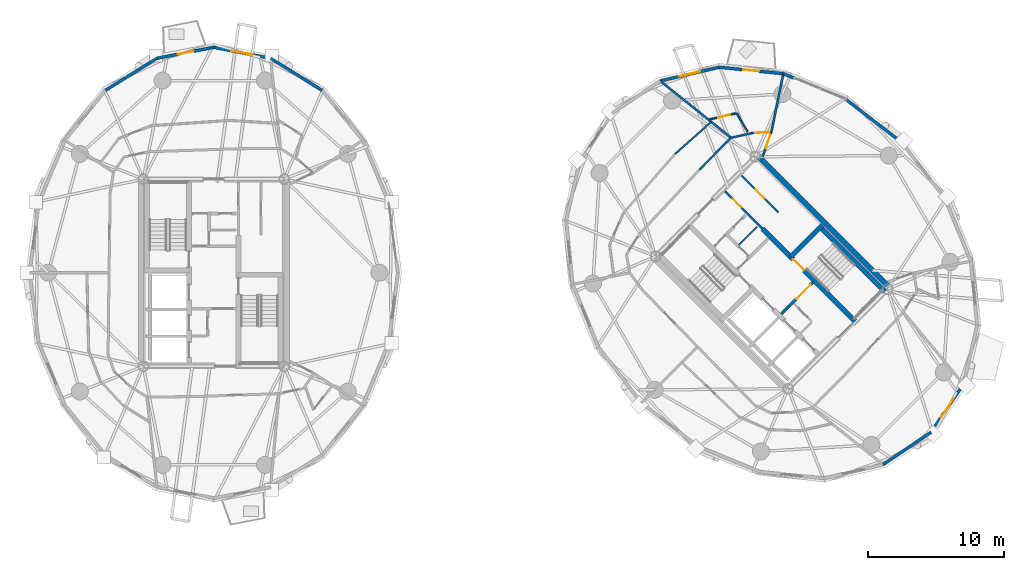
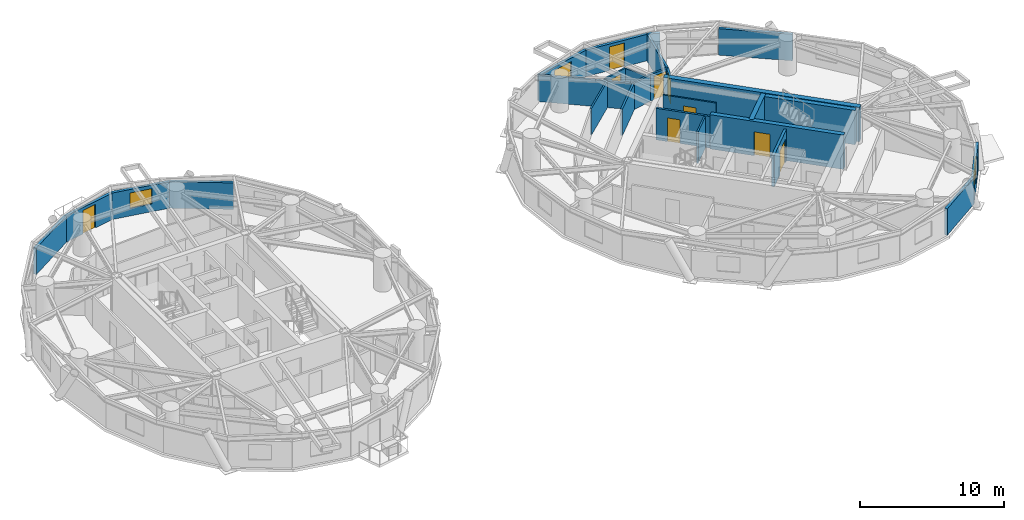
# One storey, part 14 of 18: 27 walls, 9 doors, 3 windows, 12 openings.
"""IFC4 building model written with IfcOpenShell, lengths in metres."""

from ifc_helpers import new_model, si_unit, direction, frame, frame_2d, origin, place, context, subcontext, project, spatial, rectangle, extrude, source, transform, mapped, material, layer, layer_set, type_object, element, fill, save


model = new_model("IFC4")

# Units and contexts
model_context = context("Model", 3, precision=1e-05, world=origin(), true_north=direction((0.0, 1.0)))
body_context = subcontext(model_context, "Body", "Model", "MODEL_VIEW")
ifc_project = project(units=[si_unit("LENGTHUNIT", "METRE"), si_unit("AREAUNIT", "SQUARE_METRE"), si_unit("VOLUMEUNIT", "CUBIC_METRE"), si_unit("PLANEANGLEUNIT", "RADIAN"), si_unit("MASSUNIT", "GRAM", prefix="KILO")], contexts=[model_context])

# Site, building, storey
site_placement = place(None, origin())
site = spatial("IfcSite", under=ifc_project, at=site_placement, CompositionType="ELEMENT")
building_placement = place(site_placement, origin())
building = spatial("IfcBuilding", under=site, at=building_placement, Name="Cununo Teusaquillo Station Towers", CompositionType="ELEMENT")
storey_placement = place(building_placement, frame((0.0, 0.0, 169.06005859375)))
storey = spatial("IfcBuildingStorey", under=building, at=storey_placement, Name="L53", CompositionType="ELEMENT", Elevation=169.06005859375)

# Wall, opening, door
ifc_material_1 = material(Name="Concrete C50/60", Category="concrete")
ifc_layer_1 = layer(ifc_material_1, 0.35009765625)
ifc_layer_set_1 = layer_set([ifc_layer_1], Name="Concrete C50/60")
wall_type_1 = type_object("IfcWallType", Name="WL-CORE-350", PredefinedType="SHEAR", material=ifc_layer_set_1)
wall_1_placement = place(storey_placement, frame((63.627197265625, 20.939697265625, 0.0), z_axis=(0.0, 0.0, 1.0), x_axis=(-0.707119496762, 0.707094065383, 0.0)))
wall_1 = element("IfcWall", 1, at=wall_1_placement, inside=storey, type_object=wall_type_1, Name="L53 Tower B Core Shear Wall IE", PredefinedType="SHEAR", context=body_context, shape_type="SweptSolid", body=[
    extrude(rectangle(XDim=9.60009765625, YDim=0.35009765625, at=frame_2d((4.800048828125, 0.0))), origin(), (0.0, 0.0, 1.0), 2.909912109375),
])
shared_shape_1 = source(origin(), body_context, "Body", "SweptSolid", [
    extrude(rectangle(XDim=1.14990234375, YDim=2.02001953125, at=frame_2d((0.574951171875, 1.010009765625))), frame((0.0, 0.18505859375, 0.0), z_axis=(0.0, -1.0, 0.0), x_axis=(1.0, 0.0, 0.0)), (0.0, 0.0, 1.0), 0.3701171875),
])
opening_1_placement = place(wall_1_placement, frame((5.280029296875, 0.0, 0.0)))
opening_1 = element("IfcOpeningElement", 2, at=opening_1_placement, cuts=wall_1, Name="Opening D-ST1", PredefinedType="OPENING", context=body_context, shape_type="MappedRepresentation", body=[
    mapped(shared_shape_1, transform((0.0, 0.0, 0.0), x_axis=(1.0, 0.0, 0.0), y_axis=(0.0, 1.0, 0.0), z_axis=(0.0, 0.0, 1.0), scale=1.0)),
])
ifc_material_2 = material(Name="Galvanised fire-rated hollow steel door assembly", Category="steel")
door_type_1 = type_object("IfcDoorType", Name="DR-STAIR-1150", OperationType="NOTDEFINED", PredefinedType="DOOR", material=ifc_material_2)
shared_shape_2 = source(origin(), body_context, "Body", "SweptSolid", [
    extrude(rectangle(XDim=1.14990234375, YDim=2.02001953125, at=frame_2d((0.574951171875, 1.010009765625))), frame((0.0, 0.02490234375, 0.0), z_axis=(0.0, -1.0, 0.0), x_axis=(1.0, 0.0, 0.0)), (0.0, 0.0, 1.0), 0.050048828125),
])
door_1_placement = place(opening_1_placement, origin())
door_1 = element("IfcDoor", 3, at=door_1_placement, inside=storey, type_object=door_type_1, Name="L53 Tower B Exit Stair 2 Fire Door", OperationType="SINGLE_SWING_RIGHT", OverallHeight=2.02001953125, OverallWidth=1.14990234375, PredefinedType="DOOR", context=body_context, shape_type="MappedRepresentation", body=[
    mapped(shared_shape_2, transform((0.0, 0.0, 0.0), x_axis=(1.0, 0.0, 0.0), y_axis=(0.0, 1.0, 0.0), z_axis=(0.0, 0.0, 1.0), scale=1.0)),
])
fill(opening_1, door_1)

# Walls
wall_2_placement = place(storey_placement, frame((65.81201171875, 23.124755859375, 0.0), z_axis=(0.0, 0.0, 1.0), x_axis=(-0.707106781187, 0.707106781187, 0.0)))
element("IfcWall", 4, at=wall_2_placement, inside=storey, type_object=wall_type_1, Name="L53 Tower B Core Shear Wall ST2E", PredefinedType="SHEAR", context=body_context, shape_type="SweptSolid", body=[
    extrude(rectangle(XDim=6.695068359375, YDim=0.35009765625, at=frame_2d((3.34765625, 0.0))), origin(), (0.0, 0.0, 1.0), 2.909912109375),
])
wall_3_placement = place(storey_placement, frame((58.89306640625, 25.673828125, 0.0), z_axis=(0.0, 0.0, 1.0), x_axis=(0.707106781187, 0.707106781187, 0.0)))
element("IfcWall", 5, at=wall_3_placement, inside=storey, type_object=wall_type_1, Name="L53 Tower B Core Shear Wall ST2N", PredefinedType="SHEAR", context=body_context, shape_type="SweptSolid", body=[
    extrude(rectangle(XDim=3.284912109375, YDim=0.35009765625, at=frame_2d((1.642578125, 0.0))), origin(), (0.0, 0.0, 1.0), 2.909912109375),
])
ifc_material_3 = material(Name="Concrete C50/60", Category="concrete")
ifc_layer_2 = layer(ifc_material_3, 0.39990234375)
ifc_layer_set_2 = layer_set([ifc_layer_2], Name="Concrete C50/60")
wall_type_2 = type_object("IfcWallType", Name="WL-CORE-400", PredefinedType="SHEAR", material=ifc_layer_set_2)
wall_4_placement = place(storey_placement, frame((66.26806640625, 23.2978515625, 0.0), z_axis=(0.0, 0.0, 1.0), x_axis=(-0.707106781187, 0.707106781187, 0.0)))
element("IfcWall", 6, at=wall_4_placement, inside=storey, type_object=wall_type_2, Name="L53 Tower B Core Shear Wall E", PredefinedType="SHEAR", context=body_context, shape_type="SweptSolid", body=[
    extrude(rectangle(XDim=14.10009765625, YDim=0.39990234375, at=frame_2d((7.050048828125, 0.0))), origin(), (0.0, 0.0, 1.0), 2.909912109375),
])
ifc_material_4 = material(Name="Precast concrete C40/50", Category="concrete")
ifc_layer_3 = layer(ifc_material_4, 0.219970703125)
ifc_layer_set_3 = layer_set([ifc_layer_3], Name="Precast concrete C40/50")
wall_type_3 = type_object("IfcWallType", Name="WL-EXT-220", PredefinedType="SOLIDWALL", material=ifc_layer_set_3)
wall_5_placement = place(storey_placement, frame((20.681396484375, 40.259033203125, 0.0), z_axis=(0.0, 0.0, 1.0), x_axis=(0.848399108042, -0.529357113368, 0.0)))
element("IfcWall", 7, at=wall_5_placement, inside=storey, type_object=wall_type_3, Name="L53 Tower A Exterior Facade Wall C03", PredefinedType="SOLIDWALL", context=body_context, shape_type="SweptSolid", body=[
    extrude(rectangle(XDim=4.446044921875, YDim=0.219970703125, at=frame_2d((2.22314453125, 0.0))), origin(), (0.0, 0.0, 1.0), 2.244873046875),
])

# Wall, opening, window
wall_6_placement = place(storey_placement, frame((16.5, 41.070068359375, 0.0), z_axis=(0.0, 0.0, 1.0), x_axis=(0.981703883443, -0.190413983815, 0.0)))
wall_6 = element("IfcWall", 8, at=wall_6_placement, inside=storey, type_object=wall_type_3, Name="L53 Tower A Exterior Facade Wall C04", PredefinedType="SOLIDWALL", context=body_context, shape_type="SweptSolid", body=[
    extrude(rectangle(XDim=4.25927734375, YDim=0.219970703125, at=frame_2d((2.129638671875, 0.0))), origin(), (0.0, 0.0, 1.0), 2.244873046875),
])
shared_shape_3 = source(origin(), body_context, "Body", "SweptSolid", [
    extrude(rectangle(XDim=1.60009765625, YDim=1.300048828125, at=frame_2d((0.800048828125, 0.64990234375))), frame((0.0, 0.119873046875, 0.0), z_axis=(0.0, -1.0, 0.0), x_axis=(1.0, 0.0, 0.0)), (0.0, 0.0, 1.0), 0.239990234375),
])
opening_2_placement = place(wall_6_placement, frame((1.330078125, 0.0, 0.64990234375)))
opening_2 = element("IfcOpeningElement", 9, at=opening_2_placement, cuts=wall_6, Name="Opening WN-03", PredefinedType="OPENING", context=body_context, shape_type="MappedRepresentation", body=[
    mapped(shared_shape_3, transform((0.0, 0.0, 0.0), x_axis=(1.0, 0.0, 0.0), y_axis=(0.0, 1.0, 0.0), z_axis=(0.0, 0.0, 1.0), scale=1.0)),
])
ifc_material_5 = material(Name="Ceramic-fritted dark low-E double glazing", Category="glass")
window_type = type_object("IfcWindowType", Name="WIN-CORN-1600", PartitioningType="SINGLE_PANEL", PredefinedType="WINDOW", material=ifc_material_5)
shared_shape_4 = source(origin(), body_context, "Body", "SweptSolid", [
    extrude(rectangle(XDim=1.60009765625, YDim=1.300048828125, at=frame_2d((0.800048828125, 0.64990234375))), frame((0.0, 0.030029296875, 0.0), z_axis=(0.0, -1.0, 0.0), x_axis=(1.0, 0.0, 0.0)), (0.0, 0.0, 1.0), 0.06005859375),
])
window_1_placement = place(opening_2_placement, origin())
window_1 = element("IfcWindow", 10, at=window_1_placement, inside=storey, type_object=window_type, Name="L53 Tower A Facade Window C04", OverallHeight=1.300048828125, OverallWidth=1.60009765625, PartitioningType="SINGLE_PANEL", PredefinedType="WINDOW", context=body_context, shape_type="MappedRepresentation", body=[
    mapped(shared_shape_4, transform((0.0, 0.0, 0.0), x_axis=(1.0, 0.0, 0.0), y_axis=(0.0, 1.0, 0.0), z_axis=(0.0, 0.0, 1.0), scale=1.0)),
])
fill(opening_2, window_1)

# Wall, opening, door
wall_7_placement = place(storey_placement, frame((12.318603515625, 40.259033203125, 0.0), z_axis=(0.0, 0.0, 1.0), x_axis=(0.981703883443, 0.190413983815, 0.0)))
wall_7 = element("IfcWall", 11, at=wall_7_placement, inside=storey, type_object=wall_type_3, Name="L53 Tower A Exterior Facade Wall C05", PredefinedType="SOLIDWALL", context=body_context, shape_type="SweptSolid", body=[
    extrude(rectangle(XDim=4.25927734375, YDim=0.219970703125, at=frame_2d((2.129638671875, 0.0))), origin(), (0.0, 0.0, 1.0), 2.244873046875),
])
shared_shape_5 = source(origin(), body_context, "Body", "SweptSolid", [
    extrude(rectangle(XDim=1.14990234375, YDim=2.0048828125, at=frame_2d((0.574951171875, 1.00244140625))), frame((0.0, 0.119873046875, 0.0), z_axis=(0.0, -1.0, 0.0), x_axis=(1.0, 0.0, 0.0)), (0.0, 0.0, 1.0), 0.239990234375),
])
opening_3_placement = place(wall_7_placement, frame((1.554931640625, 0.0, 0.0)))
opening_3 = element("IfcOpeningElement", 12, at=opening_3_placement, cuts=wall_7, Name="Opening ED-03", PredefinedType="OPENING", context=body_context, shape_type="MappedRepresentation", body=[
    mapped(shared_shape_5, transform((0.0, 0.0, 0.0), x_axis=(1.0, 0.0, 0.0), y_axis=(0.0, 1.0, 0.0), z_axis=(0.0, 0.0, 1.0), scale=1.0)),
])
ifc_material_6 = material(Name="Anodised dark bronze aluminium EN AW-6063-T6", Category="aluminium")
door_type_2 = type_object("IfcDoorType", Name="DR-EXT-BAL", OperationType="NOTDEFINED", PredefinedType="DOOR", material=ifc_material_6)
shared_shape_6 = source(origin(), body_context, "Body", "SweptSolid", [
    extrude(rectangle(XDim=1.14990234375, YDim=2.0048828125, at=frame_2d((0.574951171875, 1.00244140625))), frame((0.0, 0.02490234375, 0.0), z_axis=(0.0, -1.0, 0.0), x_axis=(1.0, 0.0, 0.0)), (0.0, 0.0, 1.0), 0.050048828125),
])
door_2_placement = place(opening_3_placement, origin())
door_2 = element("IfcDoor", 13, at=door_2_placement, inside=storey, type_object=door_type_2, Name="L53 Tower A Tree Balcony Door C05", OperationType="SINGLE_SWING_LEFT", OverallHeight=2.0048828125, OverallWidth=1.14990234375, PredefinedType="DOOR", context=body_context, shape_type="MappedRepresentation", body=[
    mapped(shared_shape_6, transform((0.0, 0.0, 0.0), x_axis=(1.0, 0.0, 0.0), y_axis=(0.0, 1.0, 0.0), z_axis=(0.0, 0.0, 1.0), scale=1.0)),
])
fill(opening_3, door_2)

# Walls
wall_8_placement = place(storey_placement, frame((8.546630859375, 37.905517578125, 0.0), z_axis=(0.0, 0.0, 1.0), x_axis=(0.848399108042, 0.529357113368, 0.0)))
element("IfcWall", 14, at=wall_8_placement, inside=storey, type_object=wall_type_3, Name="L53 Tower A Exterior Facade Wall C06", PredefinedType="SOLIDWALL", context=body_context, shape_type="SweptSolid", body=[
    extrude(rectangle(XDim=4.446044921875, YDim=0.219970703125, at=frame_2d((2.22314453125, 0.0))), origin(), (0.0, 0.0, 1.0), 2.244873046875),
])
wall_9_placement = place(storey_placement, frame((62.97900390625, 37.22021484375, 0.0), z_axis=(0.0, 0.0, 1.0), x_axis=(0.791962560189, -0.610569654715, 0.0)))
element("IfcWall", 15, at=wall_9_placement, inside=storey, type_object=wall_type_3, Name="L53 Tower B Exterior Facade Wall C00", PredefinedType="SOLIDWALL", context=body_context, shape_type="SweptSolid", body=[
    extrude(rectangle(XDim=5.162841796875, YDim=0.219970703125, at=frame_2d((2.58154296875, 0.0))), origin(), (0.0, 0.0, 1.0), 2.244873046875),
])
wall_10_placement = place(storey_placement, frame((58.353515625, 39.12744140625, 0.0), z_axis=(0.0, 0.0, 1.0), x_axis=(0.924556017656, -0.381046152345, 0.0)))
element("IfcWall", 16, at=wall_10_placement, inside=storey, type_object=wall_type_3, Name="L53 Tower B Column Pier Cladding Wall C01-PA", PredefinedType="SOLIDWALL", context=body_context, shape_type="SweptSolid", body=[
    extrude(rectangle(XDim=0.8701171875, YDim=0.219970703125, at=frame_2d((0.43505859375, 0.0))), origin(), (0.0, 0.0, 1.0), 2.244873046875),
])

# Wall, opening, door
wall_11_placement = place(storey_placement, frame((53.644775390625, 39.602783203125, 0.0), z_axis=(0.0, 0.0, 1.0), x_axis=(0.994943283129, -0.100438356004, 0.0)))
wall_11 = element("IfcWall", 17, at=wall_11_placement, inside=storey, type_object=wall_type_3, Name="L53 Tower B Exterior Facade Wall C02", PredefinedType="SOLIDWALL", context=body_context, shape_type="SweptSolid", body=[
    extrude(rectangle(XDim=4.732666015625, YDim=0.219970703125, at=frame_2d((2.3662109375, 0.0))), origin(), (0.0, 0.0, 1.0), 2.244873046875),
])
opening_4_placement = place(wall_11_placement, frame((1.791015625, 0.0, 0.0)))
opening_4 = element("IfcOpeningElement", 18, at=opening_4_placement, cuts=wall_11, Name="Opening ED-03", PredefinedType="OPENING", context=body_context, shape_type="MappedRepresentation", body=[
    mapped(shared_shape_5, transform((0.0, 0.0, 0.0), x_axis=(1.0, 0.0, 0.0), y_axis=(0.0, 1.0, 0.0), z_axis=(0.0, 0.0, 1.0), scale=1.0)),
])
door_3_placement = place(opening_4_placement, origin())
door_3 = element("IfcDoor", 19, at=door_3_placement, inside=storey, type_object=door_type_2, Name="L53 Tower B Tree Balcony Door C02", OperationType="SINGLE_SWING_LEFT", OverallHeight=2.0048828125, OverallWidth=1.14990234375, PredefinedType="DOOR", context=body_context, shape_type="MappedRepresentation", body=[
    mapped(shared_shape_6, transform((0.0, 0.0, 0.0), x_axis=(1.0, 0.0, 0.0), y_axis=(0.0, 1.0, 0.0), z_axis=(0.0, 0.0, 1.0), scale=1.0)),
])
fill(opening_4, door_3)

# Wall, opening, window
wall_12_placement = place(storey_placement, frame((49.313232421875, 38.599853515625, 0.0), z_axis=(0.0, 0.0, 1.0), x_axis=(0.97422620202, 0.22557328587, 0.0)))
wall_12 = element("IfcWall", 20, at=wall_12_placement, inside=storey, type_object=wall_type_3, Name="L53 Tower B Exterior Facade Wall C03", PredefinedType="SOLIDWALL", context=body_context, shape_type="SweptSolid", body=[
    extrude(rectangle(XDim=4.446044921875, YDim=0.219970703125, at=frame_2d((2.22314453125, 0.0))), origin(), (0.0, 0.0, 1.0), 2.244873046875),
])
opening_5_placement = place(wall_12_placement, frame((1.423095703125, 0.0, 0.64990234375)))
opening_5 = element("IfcOpeningElement", 21, at=opening_5_placement, cuts=wall_12, Name="Opening WN-03", PredefinedType="OPENING", context=body_context, shape_type="MappedRepresentation", body=[
    mapped(shared_shape_3, transform((0.0, 0.0, 0.0), x_axis=(1.0, 0.0, 0.0), y_axis=(0.0, 1.0, 0.0), z_axis=(0.0, 0.0, 1.0), scale=1.0)),
])
window_2_placement = place(opening_5_placement, origin())
window_2 = element("IfcWindow", 22, at=window_2_placement, inside=storey, type_object=window_type, Name="L53 Tower B Facade Window C03", OverallHeight=1.300048828125, OverallWidth=1.60009765625, PartitioningType="SINGLE_PANEL", PredefinedType="WINDOW", context=body_context, shape_type="MappedRepresentation", body=[
    mapped(shared_shape_4, transform((0.0, 0.0, 0.0), x_axis=(1.0, 0.0, 0.0), y_axis=(0.0, 1.0, 0.0), z_axis=(0.0, 0.0, 1.0), scale=1.0)),
])
fill(opening_5, window_2)

# Wall
wall_13_placement = place(storey_placement, frame((69.216796875, 12.783203125, 0.0), z_axis=(0.0, 0.0, 1.0), x_axis=(-0.828817439852, -0.55951912514, 0.0)))
element("IfcWall", 23, at=wall_13_placement, inside=storey, type_object=wall_type_3, Name="L53 Tower B Exterior Facade Wall C14", PredefinedType="SOLIDWALL", context=body_context, shape_type="SweptSolid", body=[
    extrude(rectangle(XDim=4.259033203125, YDim=0.219970703125, at=frame_2d((2.12939453125, 0.0))), origin(), (0.0, 0.0, 1.0), 2.244873046875),
])

# Wall, opening, window
wall_14_placement = place(storey_placement, frame((71.599853515625, 16.313232421875, 0.0), z_axis=(0.0, 0.0, 1.0), x_axis=(-0.55951912514, -0.828817439852, 0.0)))
wall_14 = element("IfcWall", 24, at=wall_14_placement, inside=storey, type_object=wall_type_3, Name="L53 Tower B Exterior Facade Wall C15", PredefinedType="SOLIDWALL", context=body_context, shape_type="SweptSolid", body=[
    extrude(rectangle(XDim=4.259033203125, YDim=0.219970703125, at=frame_2d((2.12939453125, 0.0))), origin(), (0.0, 0.0, 1.0), 2.244873046875),
])
opening_6_placement = place(wall_14_placement, frame((1.330078125, 0.0, 0.64990234375)))
opening_6 = element("IfcOpeningElement", 25, at=opening_6_placement, cuts=wall_14, Name="Opening WN-03", PredefinedType="OPENING", context=body_context, shape_type="MappedRepresentation", body=[
    mapped(shared_shape_3, transform((0.0, 0.0, 0.0), x_axis=(1.0, 0.0, 0.0), y_axis=(0.0, 1.0, 0.0), z_axis=(0.0, 0.0, 1.0), scale=1.0)),
])
window_3_placement = place(opening_6_placement, origin())
window_3 = element("IfcWindow", 26, at=window_3_placement, inside=storey, type_object=window_type, Name="L53 Tower B Facade Window C15", OverallHeight=1.300048828125, OverallWidth=1.60009765625, PartitioningType="SINGLE_PANEL", PredefinedType="WINDOW", context=body_context, shape_type="MappedRepresentation", body=[
    mapped(shared_shape_4, transform((0.0, 0.0, 0.0), x_axis=(1.0, 0.0, 0.0), y_axis=(0.0, 1.0, 0.0), z_axis=(0.0, 0.0, 1.0), scale=1.0)),
])
fill(opening_6, window_3)

# Wall
ifc_material_7 = material(Name="Fire-rated gypsum plasterboard partition assembly", Category="gypsum")
ifc_layer_4 = layer(ifc_material_7, 0.125)
ifc_layer_set_4 = layer_set([ifc_layer_4], Name="Fire-rated gypsum plasterboard partition assembly")
wall_type_4 = type_object("IfcWallType", Name="WL-PART-125", PredefinedType="PARTITIONING", material=ifc_layer_set_4)
wall_15_placement = place(storey_placement, frame((55.0888671875, 26.54345703125, 0.0), z_axis=(0.0, 0.0, 1.0), x_axis=(0.707106781187, 0.707106781187, 0.0)))
element("IfcWall", 27, at=wall_15_placement, inside=storey, type_object=wall_type_4, Name="L53 Tower B Core Horizontal Split Wall", PredefinedType="PARTITIONING", context=body_context, shape_type="SweptSolid", body=[
    extrude(rectangle(XDim=1.8798828125, YDim=0.125, at=frame_2d((0.93994140625, 0.0))), origin(), (0.0, 0.0, 1.0), 2.675048828125),
])

# Wall, opening, door
wall_16_placement = place(storey_placement, frame((57.980712890625, 28.940673828125, 0.0), z_axis=(0.0, 0.0, 1.0), x_axis=(-0.707074823725, 0.707138737204, 0.0)))
wall_16 = element("IfcWall", 28, at=wall_16_placement, inside=storey, type_object=wall_type_4, Name="L53 Tower B Reclaimed Bay Vertical Split Wall", PredefinedType="PARTITIONING", context=body_context, shape_type="SweptSolid", body=[
    extrude(rectangle(XDim=3.81982421875, YDim=0.125, at=frame_2d((1.909912109375, 0.0))), origin(), (0.0, 0.0, 1.0), 2.675048828125),
])
shared_shape_7 = source(origin(), body_context, "Body", "SweptSolid", [
    extrude(rectangle(XDim=0.89990234375, YDim=2.0048828125, at=frame_2d((0.449951171875, 1.00244140625))), frame((0.0, 0.072509765625, 0.0), z_axis=(0.0, -1.0, 0.0), x_axis=(1.0, 0.0, 0.0)), (0.0, 0.0, 1.0), 0.14501953125),
])
opening_7_placement = place(wall_16_placement, frame((1.449951171875, 0.0, 0.0)))
opening_7 = element("IfcOpeningElement", 29, at=opening_7_placement, cuts=wall_16, Name="Opening D-IN1", PredefinedType="OPENING", context=body_context, shape_type="MappedRepresentation", body=[
    mapped(shared_shape_7, transform((0.0, 0.0, 0.0), x_axis=(1.0, 0.0, 0.0), y_axis=(0.0, 1.0, 0.0), z_axis=(0.0, 0.0, 1.0), scale=1.0)),
])
ifc_material_8 = material(Name="Acoustic solid-core hardwood leaf assembly", Category="wood")
door_type_3 = type_object("IfcDoorType", Name="DR-INT-900", OperationType="NOTDEFINED", PredefinedType="DOOR", material=ifc_material_8)
shared_shape_8 = source(origin(), body_context, "Body", "SweptSolid", [
    extrude(rectangle(XDim=0.89990234375, YDim=2.0048828125, at=frame_2d((0.449951171875, 1.00244140625))), frame((0.0, 0.02490234375, 0.0), z_axis=(0.0, -1.0, 0.0), x_axis=(1.0, 0.0, 0.0)), (0.0, 0.0, 1.0), 0.050048828125),
])
door_4_placement = place(opening_7_placement, origin())
door_4 = element("IfcDoor", 30, at=door_4_placement, inside=storey, type_object=door_type_3, Name="L53 Tower B Reclaimed Acoustic Booth Door", OperationType="SINGLE_SWING_LEFT", OverallHeight=2.0048828125, OverallWidth=0.89990234375, PredefinedType="DOOR", context=body_context, shape_type="MappedRepresentation", body=[
    mapped(shared_shape_8, transform((0.0, 0.0, 0.0), x_axis=(1.0, 0.0, 0.0), y_axis=(0.0, 1.0, 0.0), z_axis=(0.0, 0.0, 1.0), scale=1.0)),
])
fill(opening_7, door_4)

# Wall
wall_17_placement = place(storey_placement, frame((55.7373046875, 34.8525390625, 0.0), z_axis=(0.0, 0.0, 1.0), x_axis=(-0.506282425857, 0.862367732043, 0.0)))
element("IfcWall", 31, at=wall_17_placement, inside=storey, type_object=wall_type_4, Name="L53 Tower B S01 En-suite Side Wall", PredefinedType="PARTITIONING", context=body_context, shape_type="SweptSolid", body=[
    extrude(rectangle(XDim=1.59130859375, YDim=0.125, at=frame_2d((0.795654296875, 0.0))), origin(), (0.0, 0.0, 1.0), 2.244873046875),
])

# Wall, opening, door
wall_18_placement = place(storey_placement, frame((54.87109375, 36.211181640625, 0.0), z_axis=(0.0, 0.0, 1.0), x_axis=(-0.975212623293, -0.221269833846, 0.0)))
wall_18 = element("IfcWall", 32, at=wall_18_placement, inside=storey, type_object=wall_type_4, Name="L53 Tower B S01 En-suite Back Wall", PredefinedType="PARTITIONING", context=body_context, shape_type="SweptSolid", body=[
    extrude(rectangle(XDim=1.982666015625, YDim=0.125, at=frame_2d((0.9912109375, 0.0))), origin(), (0.0, 0.0, 1.0), 2.31201171875),
])
opening_8_placement = place(wall_18_placement, frame((0.43603515625, 0.0, 0.0)))
opening_8 = element("IfcOpeningElement", 33, at=opening_8_placement, cuts=wall_18, Name="Opening D-IN1", PredefinedType="OPENING", context=body_context, shape_type="MappedRepresentation", body=[
    mapped(shared_shape_7, transform((0.0, 0.0, 0.0), x_axis=(1.0, 0.0, 0.0), y_axis=(0.0, 1.0, 0.0), z_axis=(0.0, 0.0, 1.0), scale=1.0)),
])
door_5_placement = place(opening_8_placement, origin())
door_5 = element("IfcDoor", 34, at=door_5_placement, inside=storey, type_object=door_type_3, Name="L53 Tower B S01 En-suite Bathroom Door", OperationType="SINGLE_SWING_LEFT", OverallHeight=2.0048828125, OverallWidth=0.89990234375, PredefinedType="DOOR", context=body_context, shape_type="MappedRepresentation", body=[
    mapped(shared_shape_8, transform((0.0, 0.0, 0.0), x_axis=(1.0, 0.0, 0.0), y_axis=(0.0, 1.0, 0.0), z_axis=(0.0, 0.0, 1.0), scale=1.0)),
])
fill(opening_8, door_5)

# Wall
wall_19_placement = place(storey_placement, frame((53.060302734375, 35.5869140625, 0.0), z_axis=(0.0, 0.0, 1.0), x_axis=(-0.748390346028, -0.663258539314, 0.0)))
element("IfcWall", 35, at=wall_19_placement, inside=storey, type_object=wall_type_4, Name="L53 Tower B Private Butler & Banquet Hall Concentric Partition Wall C04", PredefinedType="PARTITIONING", context=body_context, shape_type="SweptSolid", body=[
    extrude(rectangle(XDim=3.55322265625, YDim=0.125, at=frame_2d((1.776611328125, 0.0))), origin(), (0.0, 0.0, 1.0), 2.244873046875),
])

# Wall, opening, door
ifc_material_9 = material(Name="Fire-rated gypsum plasterboard partition assembly", Category="gypsum")
ifc_layer_5 = layer(ifc_material_9, 0.14990234375)
ifc_layer_set_5 = layer_set([ifc_layer_5], Name="Fire-rated gypsum plasterboard partition assembly")
wall_type_5 = type_object("IfcWallType", Name="WL-PART-150", PredefinedType="PARTITIONING", material=ifc_layer_set_5)
wall_20_placement = place(storey_placement, frame((57.477783203125, 34.837890625, 0.0), z_axis=(0.0, 0.0, 1.0), x_axis=(-0.998448388303, -0.05568497011, 0.0)))
wall_20 = element("IfcWall", 36, at=wall_20_placement, inside=storey, type_object=wall_type_5, Name="L53 Tower B Corridor Ring Wall C02", PredefinedType="PARTITIONING", context=body_context, shape_type="SweptSolid", body=[
    extrude(rectangle(XDim=1.44677734375, YDim=0.14990234375, at=frame_2d((0.723388671875, 0.0))), origin(), (0.0, 0.0, 1.0), 2.244873046875),
])
shared_shape_9 = source(origin(), body_context, "Body", "SweptSolid", [
    extrude(rectangle(XDim=1.050048828125, YDim=2.014892578125, at=frame_2d((0.52490234375, 1.00732421875))), frame((0.0, 0.0849609375, 0.0), z_axis=(0.0, -1.0, 0.0), x_axis=(1.0, 0.0, 0.0)), (0.0, 0.0, 1.0), 0.169921875),
])
opening_9_placement = place(wall_20_placement, frame((0.1201171875, 0.0, 0.0)))
opening_9 = element("IfcOpeningElement", 37, at=opening_9_placement, cuts=wall_20, Name="Opening D-SU1", PredefinedType="OPENING", context=body_context, shape_type="MappedRepresentation", body=[
    mapped(shared_shape_9, transform((0.0, 0.0, 0.0), x_axis=(1.0, 0.0, 0.0), y_axis=(0.0, 1.0, 0.0), z_axis=(0.0, 0.0, 1.0), scale=1.0)),
])
ifc_material_10 = material(Name="Acoustic solid-core hardwood leaf assembly", Category="wood")
door_type_4 = type_object("IfcDoorType", Name="DR-SUITE-1050", OperationType="NOTDEFINED", PredefinedType="DOOR", material=ifc_material_10)
shared_shape_10 = source(origin(), body_context, "Body", "SweptSolid", [
    extrude(rectangle(XDim=1.050048828125, YDim=2.014892578125, at=frame_2d((0.52490234375, 1.00732421875))), frame((0.0, 0.02490234375, 0.0), z_axis=(0.0, -1.0, 0.0), x_axis=(1.0, 0.0, 0.0)), (0.0, 0.0, 1.0), 0.050048828125),
])
door_6_placement = place(opening_9_placement, origin())
door_6 = element("IfcDoor", 38, at=door_6_placement, inside=storey, type_object=door_type_4, Name="L53 Tower B Royal Teusaquillo Hotel Suite Entrance Door", OperationType="SINGLE_SWING_RIGHT", OverallHeight=2.014892578125, OverallWidth=1.050048828125, PredefinedType="DOOR", context=body_context, shape_type="MappedRepresentation", body=[
    mapped(shared_shape_10, transform((0.0, 0.0, 0.0), x_axis=(1.0, 0.0, 0.0), y_axis=(0.0, 1.0, 0.0), z_axis=(0.0, 0.0, 1.0), scale=1.0)),
])
fill(opening_9, door_6)

# Walls
wall_21_placement = place(storey_placement, frame((56.033203125, 34.75732421875, 0.0), z_axis=(0.0, 0.0, 1.0), x_axis=(-0.976507263775, -0.215484486204, 0.0)))
element("IfcWall", 39, at=wall_21_placement, inside=storey, type_object=wall_type_5, Name="L53 Tower B Corridor Ring Wall C03", PredefinedType="PARTITIONING", context=body_context, shape_type="SweptSolid", body=[
    extrude(rectangle(XDim=1.5556640625, YDim=0.14990234375, at=frame_2d((0.77783203125, 0.0))), origin(), (0.0, 0.0, 1.0), 2.244873046875),
])
wall_22_placement = place(storey_placement, frame((54.51416015625, 34.422119140625, 0.0), z_axis=(0.0, 0.0, 1.0), x_axis=(-0.703289573518, -0.710903492593, 0.0)))
element("IfcWall", 40, at=wall_22_placement, inside=storey, type_object=wall_type_5, Name="L53 Tower B Corridor Ring Wall C04", PredefinedType="PARTITIONING", context=body_context, shape_type="SweptSolid", body=[
    extrude(rectangle(XDim=3.302734375, YDim=0.14990234375, at=frame_2d((1.6513671875, 0.0))), origin(), (0.0, 0.0, 1.0), 2.244873046875),
])

# Wall, opening, door
ifc_material_11 = material(Name="Fire-rated gypsum plasterboard partition assembly", Category="gypsum")
ifc_layer_6 = layer(ifc_material_11, 0.159912109375)
ifc_layer_set_6 = layer_set([ifc_layer_6], Name="Fire-rated gypsum plasterboard partition assembly")
wall_type_6 = type_object("IfcWallType", Name="WL-PART-160", PredefinedType="PARTITIONING", material=ifc_layer_set_6)
wall_23_placement = place(storey_placement, frame((56.8388671875, 27.727783203125, 0.0), z_axis=(0.0, 0.0, 1.0), x_axis=(-0.707106781187, 0.707106781187, 0.0)))
wall_23 = element("IfcWall", 41, at=wall_23_placement, inside=storey, type_object=wall_type_6, Name="L53 Tower B Reclaimed Core Bay Entry Wall", PredefinedType="PARTITIONING", context=body_context, shape_type="SweptSolid", body=[
    extrude(rectangle(XDim=3.900146484375, YDim=0.159912109375, at=frame_2d((1.9501953125, 0.0))), origin(), (0.0, 0.0, 1.0), 2.675048828125),
])
shared_shape_11 = source(origin(), body_context, "Body", "SweptSolid", [
    extrude(rectangle(XDim=0.89990234375, YDim=2.0048828125, at=frame_2d((0.449951171875, 1.00244140625))), frame((0.0, 0.08984375, 0.0), z_axis=(0.0, -1.0, 0.0), x_axis=(1.0, 0.0, 0.0)), (0.0, 0.0, 1.0), 0.179931640625),
])
opening_10_placement = place(wall_23_placement, frame((2.199951171875, 0.0, 0.0)))
opening_10 = element("IfcOpeningElement", 42, at=opening_10_placement, cuts=wall_23, Name="Opening D-IN1", PredefinedType="OPENING", context=body_context, shape_type="MappedRepresentation", body=[
    mapped(shared_shape_11, transform((0.0, 0.0, 0.0), x_axis=(1.0, 0.0, 0.0), y_axis=(0.0, 1.0, 0.0), z_axis=(0.0, 0.0, 1.0), scale=1.0)),
])
door_7_placement = place(opening_10_placement, origin())
door_7 = element("IfcDoor", 43, at=door_7_placement, inside=storey, type_object=door_type_3, Name="L53 Tower B Reclaimed Meeting Room Door", OperationType="SINGLE_SWING_RIGHT", OverallHeight=2.0048828125, OverallWidth=0.89990234375, PredefinedType="DOOR", context=body_context, shape_type="MappedRepresentation", body=[
    mapped(shared_shape_8, transform((0.0, 0.0, 0.0), x_axis=(1.0, 0.0, 0.0), y_axis=(0.0, 1.0, 0.0), z_axis=(0.0, 0.0, 1.0), scale=1.0)),
])
fill(opening_10, door_7)

# Walls
wall_24_placement = place(storey_placement, frame((57.477783203125, 34.837890625, 0.0), z_axis=(0.0, 0.0, 1.0), x_axis=(0.200272806445, 0.979740171167, 0.0)))
element("IfcWall", 44, at=wall_24_placement, inside=storey, type_object=wall_type_6, Name="L53 Tower B Radial Suite Partition R01", PredefinedType="PARTITIONING", context=body_context, shape_type="SweptSolid", body=[
    extrude(rectangle(XDim=4.358154296875, YDim=0.159912109375, at=frame_2d((2.17919921875, 0.0))), origin(), (0.0, 0.0, 1.0), 2.244873046875),
])
wall_25_placement = place(storey_placement, frame((54.51416015625, 34.422119140625, 0.0), z_axis=(0.0, 0.0, 1.0), x_axis=(-0.780385234796, 0.625299036712, 0.0)))
element("IfcWall", 45, at=wall_25_placement, inside=storey, type_object=wall_type_6, Name="L53 Tower B Radial Suite Partition R02", PredefinedType="PARTITIONING", context=body_context, shape_type="SweptSolid", body=[
    extrude(rectangle(XDim=6.652587890625, YDim=0.159912109375, at=frame_2d((3.326171875, 0.0))), origin(), (0.0, 0.0, 1.0), 2.244873046875),
])

# Wall, opening, door
wall_26_placement = place(storey_placement, frame((56.828125, 33.0205078125, 0.0), z_axis=(0.0, 0.0, 1.0), x_axis=(0.336608838259, 0.941644566705, 0.0)))
wall_26 = element("IfcWall", 46, at=wall_26_placement, inside=storey, type_object=wall_type_6, Name="L53 Tower B East Salon Corridor Portal Wall NE", PredefinedType="PARTITIONING", context=body_context, shape_type="SweptSolid", body=[
    extrude(rectangle(XDim=1.929931640625, YDim=0.159912109375, at=frame_2d((0.96484375, 0.0))), origin(), (0.0, 0.0, 1.0), 2.244873046875),
])
shared_shape_12 = source(origin(), body_context, "Body", "SweptSolid", [
    extrude(rectangle(XDim=1.050048828125, YDim=2.014892578125, at=frame_2d((0.52490234375, 1.00732421875))), frame((0.0, 0.08984375, 0.0), z_axis=(0.0, -1.0, 0.0), x_axis=(1.0, 0.0, 0.0)), (0.0, 0.0, 1.0), 0.179931640625),
])
opening_11_placement = place(wall_26_placement, frame((0.679931640625, 0.0, 0.0)))
opening_11 = element("IfcOpeningElement", 47, at=opening_11_placement, cuts=wall_26, Name="Opening D-SU1", PredefinedType="OPENING", context=body_context, shape_type="MappedRepresentation", body=[
    mapped(shared_shape_12, transform((0.0, 0.0, 0.0), x_axis=(1.0, 0.0, 0.0), y_axis=(0.0, 1.0, 0.0), z_axis=(0.0, 0.0, 1.0), scale=1.0)),
])
door_8_placement = place(opening_11_placement, origin())
door_8 = element("IfcDoor", 48, at=door_8_placement, inside=storey, type_object=door_type_4, Name="L53 Tower B East Panorama Sky Salon Door NE", OperationType="SINGLE_SWING_RIGHT", OverallHeight=2.014892578125, OverallWidth=1.050048828125, PredefinedType="DOOR", context=body_context, shape_type="MappedRepresentation", body=[
    mapped(shared_shape_10, transform((0.0, 0.0, 0.0), x_axis=(1.0, 0.0, 0.0), y_axis=(0.0, 1.0, 0.0), z_axis=(0.0, 0.0, 1.0), scale=1.0)),
])
fill(opening_11, door_8)

ifc_material_12 = material(Name="Fire-rated gypsum plasterboard partition assembly", Category="gypsum")
ifc_layer_7 = layer(ifc_material_12, 0.199951171875)
ifc_layer_set_7 = layer_set([ifc_layer_7], Name="Fire-rated gypsum plasterboard partition assembly")
wall_type_7 = type_object("IfcWallType", Name="WL-PART-200", PredefinedType="PARTITIONING", material=ifc_layer_set_7)
wall_27_placement = place(storey_placement, frame((58.214111328125, 21.466552734375, 0.0), z_axis=(0.0, 0.0, 1.0), x_axis=(0.707106781187, 0.707106781187, 0.0)))
wall_27 = element("IfcWall", 49, at=wall_27_placement, inside=storey, type_object=wall_type_7, Name="L53 Tower B Firefighting Lift Lobby South Fire Wall", PredefinedType="PARTITIONING", context=body_context, shape_type="SweptSolid", body=[
    extrude(rectangle(XDim=3.280029296875, YDim=0.199951171875, at=frame_2d((1.64013671875, 0.0))), origin(), (0.0, 0.0, 1.0), 2.675048828125),
])
shared_shape_13 = source(origin(), body_context, "Body", "SweptSolid", [
    extrude(rectangle(XDim=1.5, YDim=2.02001953125, at=frame_2d((0.75, 1.010009765625))), frame((0.0, 0.10986328125, 0.0), z_axis=(0.0, -1.0, 0.0), x_axis=(1.0, 0.0, 0.0)), (0.0, 0.0, 1.0), 0.219970703125),
])
opening_12_placement = place(wall_27_placement, frame((1.550048828125, 0.0, 0.0)))
opening_12 = element("IfcOpeningElement", 50, at=opening_12_placement, cuts=wall_27, Name="Opening D-LB1", PredefinedType="OPENING", context=body_context, shape_type="MappedRepresentation", body=[
    mapped(shared_shape_13, transform((0.0, 0.0, 0.0), x_axis=(1.0, 0.0, 0.0), y_axis=(0.0, 1.0, 0.0), z_axis=(0.0, 0.0, 1.0), scale=1.0)),
])
ifc_material_13 = material(Name="Galvanised fire-rated hollow steel door assembly", Category="steel")
door_type_5 = type_object("IfcDoorType", Name="DR-LOBBY-1500", OperationType="DOUBLE_DOOR_SINGLE_SWING", PredefinedType="DOOR", material=ifc_material_13)
shared_shape_14 = source(origin(), body_context, "Body", "SweptSolid", [
    extrude(rectangle(XDim=1.5, YDim=2.02001953125, at=frame_2d((0.75, 1.010009765625))), frame((0.0, 0.02490234375, 0.0), z_axis=(0.0, -1.0, 0.0), x_axis=(1.0, 0.0, 0.0)), (0.0, 0.0, 1.0), 0.050048828125),
])
door_9_placement = place(opening_12_placement, origin())
door_9 = element("IfcDoor", 51, at=door_9_placement, inside=storey, type_object=door_type_5, Name="L53 Tower B Firefighting Lift Lobby South Fire Door", OperationType="DOUBLE_DOOR_SINGLE_SWING", OverallHeight=2.02001953125, OverallWidth=1.5, PredefinedType="DOOR", context=body_context, shape_type="MappedRepresentation", body=[
    mapped(shared_shape_14, transform((0.0, 0.0, 0.0), x_axis=(1.0, 0.0, 0.0), y_axis=(0.0, 1.0, 0.0), z_axis=(0.0, 0.0, 1.0), scale=1.0)),
])
fill(opening_12, door_9)

save(model, "model.ifc")
